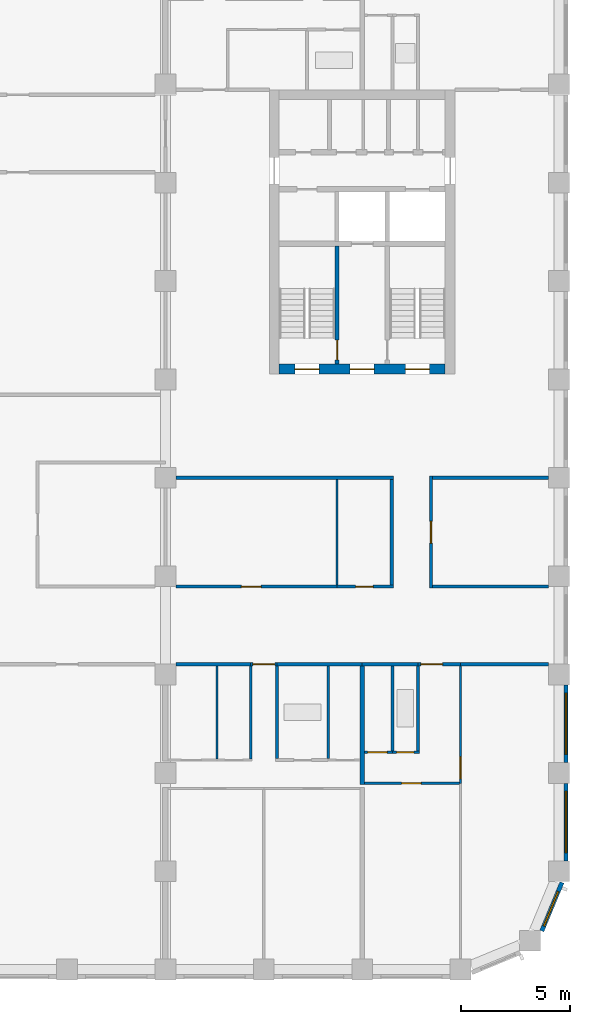
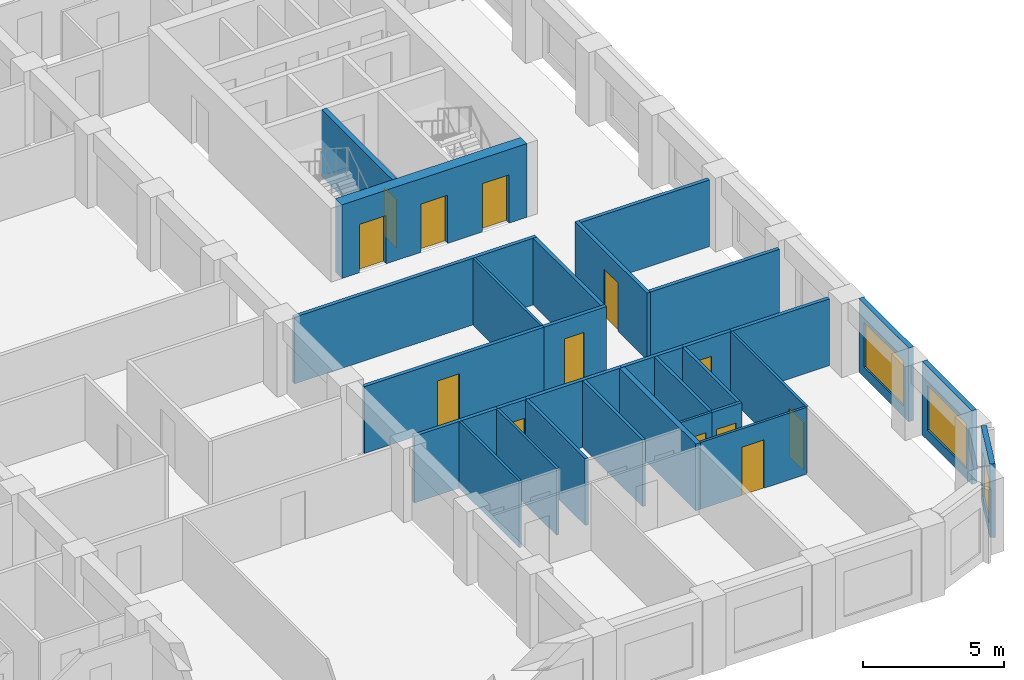
# One storey, part 5 of 12: 30 walls, 13 doors, 3 windows, 16 openings.
"""IFC4 building model written with IfcOpenShell, lengths in metres."""

from ifc_helpers import new_model, si_unit, direction, frame, frame_2d, origin, place, context, subcontext, project, spatial, rectangle, extrude, material, layer, layer_set, type_object, element, fill, save


model = new_model("IFC4")

# Units and contexts
model_context = context("Model", 3, precision=1e-05, world=origin(), true_north=direction((0.0, 1.0)))
body_context = subcontext(model_context, "Body", "Model", "MODEL_VIEW")
ifc_project = project(units=[si_unit("LENGTHUNIT", "METRE"), si_unit("AREAUNIT", "SQUARE_METRE"), si_unit("VOLUMEUNIT", "CUBIC_METRE"), si_unit("PLANEANGLEUNIT", "RADIAN"), si_unit("MASSUNIT", "GRAM", prefix="KILO")], contexts=[model_context])

# Site, building, storey
site_placement = place(None, origin())
site = spatial("IfcSite", under=ifc_project, at=site_placement, CompositionType="ELEMENT")
building_placement = place(site_placement, origin())
building = spatial("IfcBuilding", under=site, at=building_placement, Name="Girih Gate Residences", CompositionType="ELEMENT")
storey_placement = place(building_placement, frame((0.0, 0.0, 139.800048828125)))
storey = spatial("IfcBuildingStorey", under=building, at=storey_placement, Name="L39", CompositionType="ELEMENT", Elevation=139.800048828125)

# Wall, opening, door
ifc_material_1 = material(Name="Gypsum board on steel studs", Category="steel")
ifc_layer_1 = layer(ifc_material_1, 0.14990234375)
ifc_layer_set_1 = layer_set([ifc_layer_1], Name="Compartment wall 150 mm")
wall_type_1 = type_object("IfcWallType", Name="Compartment wall 150 mm", PredefinedType="PARTITIONING", material=ifc_layer_set_1)
wall_1_placement = place(storey_placement, frame((45.0, 13.97509765625, 0.0), z_axis=(0.0, 0.0, 1.0), x_axis=(-1.0, 0.0, 0.0)))
wall_1 = element("IfcWall", 1, at=wall_1_placement, inside=storey, type_object=wall_type_1, Name="L39 partition", PredefinedType="PARTITIONING", context=body_context, shape_type="SweptSolid", body=[
    extrude(rectangle(XDim=1.949951171875, YDim=0.14990234375, at=frame_2d((0.97509765625, 0.0))), origin(), (0.0, 0.0, 1.0), 2.89990234375),
])
opening_1_placement = place(wall_1_placement, frame((0.820068359375, 0.0, 0.0)))
opening_1 = element("IfcOpeningElement", 2, at=opening_1_placement, cuts=wall_1, Name="Opening A39-020", PredefinedType="OPENING", context=body_context, shape_type="SweptSolid", body=[
    extrude(rectangle(XDim=1.0, YDim=2.10009765625, at=frame_2d((0.5, 1.050048828125))), frame((0.0, 0.0849609375, 0.0), z_axis=(0.0, -1.0, 0.0), x_axis=(1.0, 0.0, 0.0)), (0.0, 0.0, 1.0), 0.169921875),
])
ifc_material_2 = material(Name="Timber, fire-rated core", Category="wood")
door_type_1 = type_object("IfcDoorType", Name="Flat entrance door 1000x2100 FD30S", OperationType="NOTDEFINED", PredefinedType="DOOR", material=ifc_material_2)
door_1_placement = place(opening_1_placement, origin())
door_1 = element("IfcDoor", 3, at=door_1_placement, inside=storey, type_object=door_type_1, Name="Door A39-020", OperationType="SINGLE_SWING_RIGHT", OverallHeight=2.10009765625, OverallWidth=1.0, PredefinedType="DOOR", context=body_context, shape_type="SweptSolid", body=[
    extrude(rectangle(XDim=1.0, YDim=2.10009765625, at=frame_2d((0.5, 1.050048828125))), frame((0.0, 0.02490234375, 0.0), z_axis=(0.0, -1.0, 0.0), x_axis=(1.0, 0.0, 0.0)), (0.0, 0.0, 1.0), 0.050048828125),
])
fill(opening_1, door_1)

# Walls
wall_2_placement = place(storey_placement, frame((40.5, 13.97509765625, 0.0), z_axis=(0.0, 0.0, 1.0), x_axis=(1.0, 0.0, 0.0)))
element("IfcWall", 4, at=wall_2_placement, inside=storey, type_object=wall_type_1, Name="L39 partition", PredefinedType="PARTITIONING", context=body_context, shape_type="SweptSolid", body=[
    extrude(rectangle(XDim=2.550048828125, YDim=0.14990234375, at=frame_2d((1.27490234375, 0.0))), origin(), (0.0, 0.0, 1.0), 2.89990234375),
])
wall_3_placement = place(storey_placement, frame((45.0, 13.97509765625, 0.0), z_axis=(0.0, 0.0, 1.0), x_axis=(1.0, 0.0, 0.0)))
element("IfcWall", 5, at=wall_3_placement, inside=storey, type_object=wall_type_1, Name="L39 partition", PredefinedType="PARTITIONING", context=body_context, shape_type="SweptSolid", body=[
    extrude(rectangle(XDim=4.02490234375, YDim=0.14990234375, at=frame_2d((2.012451171875, 0.0))), origin(), (0.0, 0.0, 1.0), 2.89990234375),
])
wall_4_placement = place(storey_placement, frame((36.60009765625, 13.97509765625, 0.0), z_axis=(0.0, 0.0, 1.0), x_axis=(1.0, 0.0, 0.0)))
element("IfcWall", 6, at=wall_4_placement, inside=storey, type_object=wall_type_1, Name="L39 partition", PredefinedType="PARTITIONING", context=body_context, shape_type="SweptSolid", body=[
    extrude(rectangle(XDim=3.89990234375, YDim=0.14990234375, at=frame_2d((1.949951171875, 0.0))), origin(), (0.0, 0.0, 1.0), 2.89990234375),
])

# Wall, opening, door
wall_5_placement = place(storey_placement, frame((36.60009765625, 13.97509765625, 0.0), z_axis=(0.0, 0.0, 1.0), x_axis=(-1.0, 0.0, 0.0)))
wall_5 = element("IfcWall", 7, at=wall_5_placement, inside=storey, type_object=wall_type_1, Name="L39 partition", PredefinedType="PARTITIONING", context=body_context, shape_type="SweptSolid", body=[
    extrude(rectangle(XDim=1.2001953125, YDim=0.14990234375, at=frame_2d((0.60009765625, 0.0))), origin(), (0.0, 0.0, 1.0), 2.89990234375),
])
opening_2_placement = place(wall_5_placement, frame((0.10009765625, 0.0, 0.0)))
opening_2 = element("IfcOpeningElement", 8, at=opening_2_placement, cuts=wall_5, Name="Opening A39-027", PredefinedType="OPENING", context=body_context, shape_type="SweptSolid", body=[
    extrude(rectangle(XDim=1.0, YDim=2.10009765625, at=frame_2d((0.5, 1.050048828125))), frame((0.0, 0.0849609375, 0.0), z_axis=(0.0, -1.0, 0.0), x_axis=(1.0, 0.0, 0.0)), (0.0, 0.0, 1.0), 0.169921875),
])
door_2_placement = place(opening_2_placement, origin())
door_2 = element("IfcDoor", 9, at=door_2_placement, inside=storey, type_object=door_type_1, Name="Door A39-027", OperationType="SINGLE_SWING_RIGHT", OverallHeight=2.10009765625, OverallWidth=1.0, PredefinedType="DOOR", context=body_context, shape_type="SweptSolid", body=[
    extrude(rectangle(XDim=1.0, YDim=2.10009765625, at=frame_2d((0.5, 1.050048828125))), frame((0.0, 0.02490234375, 0.0), z_axis=(0.0, -1.0, 0.0), x_axis=(1.0, 0.0, 0.0)), (0.0, 0.0, 1.0), 0.050048828125),
])
fill(opening_2, door_2)

# Wall
wall_6_placement = place(storey_placement, frame((31.97509765625, 13.97509765625, 0.0), z_axis=(0.0, 0.0, 1.0), x_axis=(1.0, 0.0, 0.0)))
element("IfcWall", 10, at=wall_6_placement, inside=storey, type_object=wall_type_1, Name="L39 partition", PredefinedType="PARTITIONING", context=body_context, shape_type="SweptSolid", body=[
    extrude(rectangle(XDim=3.4248046875, YDim=0.14990234375, at=frame_2d((1.71240234375, 0.0))), origin(), (0.0, 0.0, 1.0), 2.89990234375),
])

# Wall, opening, door
wall_7_placement = place(storey_placement, frame((31.97509765625, 17.52490234375, 0.0), z_axis=(0.0, 0.0, 1.0), x_axis=(1.0, 0.0, 0.0)))
wall_7 = element("IfcWall", 11, at=wall_7_placement, inside=storey, type_object=wall_type_1, Name="L39 partition", PredefinedType="PARTITIONING", context=body_context, shape_type="SweptSolid", body=[
    extrude(rectangle(XDim=7.375, YDim=0.14990234375, at=frame_2d((3.6875, 0.0))), origin(), (0.0, 0.0, 1.0), 2.89990234375),
])
opening_3_placement = place(wall_7_placement, frame((3.0, 0.0, 0.0)))
opening_3 = element("IfcOpeningElement", 12, at=opening_3_placement, cuts=wall_7, Name="Opening A39-046", PredefinedType="OPENING", context=body_context, shape_type="SweptSolid", body=[
    extrude(rectangle(XDim=0.89990234375, YDim=2.10009765625, at=frame_2d((0.449951171875, 1.050048828125))), frame((0.0, 0.0849609375, 0.0), z_axis=(0.0, -1.0, 0.0), x_axis=(1.0, 0.0, 0.0)), (0.0, 0.0, 1.0), 0.169921875),
])
ifc_material_3 = material(Name="Timber", Category="wood")
door_type_2 = type_object("IfcDoorType", Name="Service room door 900x2100", OperationType="NOTDEFINED", PredefinedType="DOOR", material=ifc_material_3)
door_3_placement = place(opening_3_placement, origin())
door_3 = element("IfcDoor", 13, at=door_3_placement, inside=storey, type_object=door_type_2, Name="Door A39-046", OperationType="SINGLE_SWING_LEFT", OverallHeight=2.10009765625, OverallWidth=0.89990234375, PredefinedType="DOOR", context=body_context, shape_type="SweptSolid", body=[
    extrude(rectangle(XDim=0.89990234375, YDim=2.10009765625, at=frame_2d((0.449951171875, 1.050048828125))), frame((0.0, 0.02490234375, 0.0), z_axis=(0.0, -1.0, 0.0), x_axis=(1.0, 0.0, 0.0)), (0.0, 0.0, 1.0), 0.050048828125),
])
fill(opening_3, door_3)

wall_8_placement = place(storey_placement, frame((39.35009765625, 17.52490234375, 0.0), z_axis=(0.0, 0.0, 1.0), x_axis=(1.0, 0.0, 0.0)))
wall_8 = element("IfcWall", 14, at=wall_8_placement, inside=storey, type_object=wall_type_1, Name="L39 partition", PredefinedType="PARTITIONING", context=body_context, shape_type="SweptSolid", body=[
    extrude(rectangle(XDim=2.574951171875, YDim=0.14990234375, at=frame_2d((1.28759765625, 0.0))), origin(), (0.0, 0.0, 1.0), 2.89990234375),
])
opening_4_placement = place(wall_8_placement, frame((0.85009765625, 0.0, 0.0)))
opening_4 = element("IfcOpeningElement", 15, at=opening_4_placement, cuts=wall_8, Name="Opening A39-048", PredefinedType="OPENING", context=body_context, shape_type="SweptSolid", body=[
    extrude(rectangle(XDim=0.800048828125, YDim=2.10009765625, at=frame_2d((0.39990234375, 1.050048828125))), frame((0.0, 0.0849609375, 0.0), z_axis=(0.0, -1.0, 0.0), x_axis=(1.0, 0.0, 0.0)), (0.0, 0.0, 1.0), 0.169921875),
])
door_type_3 = type_object("IfcDoorType", Name="Bathroom door 800x2100", OperationType="NOTDEFINED", PredefinedType="DOOR", material=ifc_material_3)
door_4_placement = place(opening_4_placement, origin())
door_4 = element("IfcDoor", 16, at=door_4_placement, inside=storey, type_object=door_type_3, Name="Door A39-048", OperationType="SINGLE_SWING_LEFT", OverallHeight=2.10009765625, OverallWidth=0.800048828125, PredefinedType="DOOR", context=body_context, shape_type="SweptSolid", body=[
    extrude(rectangle(XDim=0.800048828125, YDim=2.10009765625, at=frame_2d((0.39990234375, 1.050048828125))), frame((0.0, 0.02490234375, 0.0), z_axis=(0.0, -1.0, 0.0), x_axis=(1.0, 0.0, 0.0)), (0.0, 0.0, 1.0), 0.050048828125),
])
fill(opening_4, door_4)

# Walls
wall_9_placement = place(storey_placement, frame((43.72509765625, 17.52490234375, 0.0), z_axis=(0.0, 0.0, 1.0), x_axis=(1.0, 0.0, 0.0)))
element("IfcWall", 17, at=wall_9_placement, inside=storey, type_object=wall_type_1, Name="L39 partition", PredefinedType="PARTITIONING", context=body_context, shape_type="SweptSolid", body=[
    extrude(rectangle(XDim=5.2998046875, YDim=0.14990234375, at=frame_2d((2.64990234375, 0.0))), origin(), (0.0, 0.0, 1.0), 2.89990234375),
])
wall_10_placement = place(storey_placement, frame((31.97509765625, 22.5, 0.0), z_axis=(0.0, 0.0, 1.0), x_axis=(1.0, 0.0, 0.0)))
element("IfcWall", 18, at=wall_10_placement, inside=storey, type_object=wall_type_1, Name="L39 partition", PredefinedType="PARTITIONING", context=body_context, shape_type="SweptSolid", body=[
    extrude(rectangle(XDim=9.949951171875, YDim=0.14990234375, at=frame_2d((4.97509765625, 0.0))), origin(), (0.0, 0.0, 1.0), 2.89990234375),
])
wall_11_placement = place(storey_placement, frame((43.72509765625, 22.5, 0.0), z_axis=(0.0, 0.0, 1.0), x_axis=(1.0, 0.0, 0.0)))
element("IfcWall", 19, at=wall_11_placement, inside=storey, type_object=wall_type_1, Name="L39 partition", PredefinedType="PARTITIONING", context=body_context, shape_type="SweptSolid", body=[
    extrude(rectangle(XDim=5.2998046875, YDim=0.14990234375, at=frame_2d((2.64990234375, 0.0))), origin(), (0.0, 0.0, 1.0), 2.89990234375),
])
wall_12_placement = place(storey_placement, frame((41.85009765625, 17.60009765625, 0.0), z_axis=(0.0, 0.0, 1.0), x_axis=(0.0, 1.0, 0.0)))
element("IfcWall", 20, at=wall_12_placement, inside=storey, type_object=wall_type_1, Name="L39 partition", PredefinedType="PARTITIONING", context=body_context, shape_type="SweptSolid", body=[
    extrude(rectangle(XDim=4.824951171875, YDim=0.14990234375, at=frame_2d((2.41259765625, 0.0))), origin(), (0.0, 0.0, 1.0), 2.89990234375),
])

# Wall, opening, door
wall_13_placement = place(storey_placement, frame((43.64990234375, 22.574951171875, 0.0), z_axis=(0.0, 0.0, 1.0), x_axis=(0.0, -1.0, 0.0)))
wall_13 = element("IfcWall", 21, at=wall_13_placement, inside=storey, type_object=wall_type_1, Name="L39 partition", PredefinedType="PARTITIONING", context=body_context, shape_type="SweptSolid", body=[
    extrude(rectangle(XDim=5.125, YDim=0.14990234375, at=frame_2d((2.5625, 0.0))), origin(), (0.0, 0.0, 1.0), 2.89990234375),
])
opening_5_placement = place(wall_13_placement, frame((2.0625, 0.0, 0.0)))
opening_5 = element("IfcOpeningElement", 22, at=opening_5_placement, cuts=wall_13, Name="Opening A39-050", PredefinedType="OPENING", context=body_context, shape_type="SweptSolid", body=[
    extrude(rectangle(XDim=1.0, YDim=2.10009765625, at=frame_2d((0.5, 1.050048828125))), frame((0.0, 0.0849609375, 0.0), z_axis=(0.0, -1.0, 0.0), x_axis=(1.0, 0.0, 0.0)), (0.0, 0.0, 1.0), 0.169921875),
])
door_type_4 = type_object("IfcDoorType", Name="Amenity room door 1000x2100 FD30S", OperationType="NOTDEFINED", PredefinedType="DOOR", material=ifc_material_2)
door_5_placement = place(opening_5_placement, origin())
door_5 = element("IfcDoor", 23, at=door_5_placement, inside=storey, type_object=door_type_4, Name="Door A39-050", OperationType="SINGLE_SWING_RIGHT", OverallHeight=2.10009765625, OverallWidth=1.0, PredefinedType="DOOR", context=body_context, shape_type="SweptSolid", body=[
    extrude(rectangle(XDim=1.0, YDim=2.10009765625, at=frame_2d((0.5, 1.050048828125))), frame((0.0, 0.02490234375, 0.0), z_axis=(0.0, -1.0, 0.0), x_axis=(1.0, 0.0, 0.0)), (0.0, 0.0, 1.0), 0.050048828125),
])
fill(opening_5, door_5)

# Wall, openings, doors
ifc_material_4 = material(Name="Concrete C60/75", Category="concrete")
ifc_layer_2 = layer(ifc_material_4, 0.449951171875)
ifc_layer_set_2 = layer_set([ifc_layer_2], Name="Core wall RC 450 Concrete C60/75")
wall_type_2 = type_object("IfcWallType", Name="Core wall RC 450 Concrete C60/75", PredefinedType="SOLIDWALL", material=ifc_layer_set_2)
wall_14_placement = place(storey_placement, frame((36.699951171875, 27.47509765625, 0.0), z_axis=(0.0, 0.0, 1.0), x_axis=(1.0, 0.0, 0.0)))
wall_14 = element("IfcWall", 24, at=wall_14_placement, inside=storey, type_object=wall_type_2, Name="Core wall E-S L39", PredefinedType="SOLIDWALL", context=body_context, shape_type="SweptSolid", body=[
    extrude(rectangle(XDim=7.60009765625, YDim=0.449951171875, at=frame_2d((3.800048828125, 0.0))), origin(), (0.0, 0.0, 1.0), 3.199951171875),
])
opening_6_placement = place(wall_14_placement, frame((5.77490234375, 0.0, 0.0)))
opening_6 = element("IfcOpeningElement", 25, at=opening_6_placement, cuts=wall_14, Name="Opening D-L39-E-011", PredefinedType="OPENING", context=body_context, shape_type="SweptSolid", body=[
    extrude(rectangle(XDim=1.10009765625, YDim=2.10009765625, at=frame_2d((0.550048828125, 1.050048828125))), frame((0.0, 0.23486328125, 0.0), z_axis=(0.0, -1.0, 0.0), x_axis=(1.0, 0.0, 0.0)), (0.0, 0.0, 1.0), 0.469970703125),
])
opening_7_placement = place(wall_14_placement, frame((3.25, 0.0, 0.0)))
opening_7 = element("IfcOpeningElement", 26, at=opening_7_placement, cuts=wall_14, Name="Opening D-L39-E-012", PredefinedType="OPENING", context=body_context, shape_type="SweptSolid", body=[
    extrude(rectangle(XDim=1.10009765625, YDim=2.10009765625, at=frame_2d((0.550048828125, 1.050048828125))), frame((0.0, 0.23486328125, 0.0), z_axis=(0.0, -1.0, 0.0), x_axis=(1.0, 0.0, 0.0)), (0.0, 0.0, 1.0), 0.469970703125),
])
opening_8_placement = place(wall_14_placement, frame((0.72509765625, 0.0, 0.0)))
opening_8 = element("IfcOpeningElement", 27, at=opening_8_placement, cuts=wall_14, Name="Opening D-L39-E-013", PredefinedType="OPENING", context=body_context, shape_type="SweptSolid", body=[
    extrude(rectangle(XDim=1.10009765625, YDim=2.10009765625, at=frame_2d((0.550048828125, 1.050048828125))), frame((0.0, 0.23486328125, 0.0), z_axis=(0.0, -1.0, 0.0), x_axis=(1.0, 0.0, 0.0)), (0.0, 0.0, 1.0), 0.469970703125),
])
ifc_material_5 = material(Name="Painted steel, fire-resisting", Category="steel")
door_type_5 = type_object("IfcDoorType", Name="Fire door 1100x2100", OperationType="SINGLE_SWING_LEFT", PredefinedType="DOOR", material=ifc_material_5)
door_6_placement = place(opening_6_placement, origin())
door_6 = element("IfcDoor", 28, at=door_6_placement, inside=storey, type_object=door_type_5, Name="L39 E core door sta-out", OperationType="SINGLE_SWING_LEFT", OverallHeight=2.10009765625, OverallWidth=1.10009765625, PredefinedType="DOOR", context=body_context, shape_type="SweptSolid", body=[
    extrude(rectangle(XDim=1.10009765625, YDim=2.10009765625, at=frame_2d((0.550048828125, 1.050048828125))), frame((0.0, 0.02490234375, 0.0), z_axis=(0.0, -1.0, 0.0), x_axis=(1.0, 0.0, 0.0)), (0.0, 0.0, 1.0), 0.050048828125),
])
fill(opening_6, door_6)
door_7_placement = place(opening_7_placement, origin())
door_7 = element("IfcDoor", 29, at=door_7_placement, inside=storey, type_object=door_type_5, Name="L39 E core door ffl-out", OperationType="SINGLE_SWING_LEFT", OverallHeight=2.10009765625, OverallWidth=1.10009765625, PredefinedType="DOOR", context=body_context, shape_type="SweptSolid", body=[
    extrude(rectangle(XDim=1.10009765625, YDim=2.10009765625, at=frame_2d((0.550048828125, 1.050048828125))), frame((0.0, 0.02490234375, 0.0), z_axis=(0.0, -1.0, 0.0), x_axis=(1.0, 0.0, 0.0)), (0.0, 0.0, 1.0), 0.050048828125),
])
fill(opening_7, door_7)
door_8_placement = place(opening_8_placement, origin())
door_8 = element("IfcDoor", 30, at=door_8_placement, inside=storey, type_object=door_type_5, Name="L39 E core door stb-out", OperationType="SINGLE_SWING_LEFT", OverallHeight=2.10009765625, OverallWidth=1.10009765625, PredefinedType="DOOR", context=body_context, shape_type="SweptSolid", body=[
    extrude(rectangle(XDim=1.10009765625, YDim=2.10009765625, at=frame_2d((0.550048828125, 1.050048828125))), frame((0.0, 0.02490234375, 0.0), z_axis=(0.0, -1.0, 0.0), x_axis=(1.0, 0.0, 0.0)), (0.0, 0.0, 1.0), 0.050048828125),
])
fill(opening_8, door_8)

# Wall, opening, door
ifc_layer_3 = layer(ifc_material_1, 0.10009765625)
ifc_layer_set_3 = layer_set([ifc_layer_3], Name="Partition 100 mm")
wall_type_3 = type_object("IfcWallType", Name="Partition 100 mm", PredefinedType="PARTITIONING", material=ifc_layer_set_3)
wall_15_placement = place(storey_placement, frame((44.949951171875, 8.52490234375, 0.0), z_axis=(0.0, 0.0, 1.0), x_axis=(-1.0, 0.0, 0.0)))
wall_15 = element("IfcWall", 31, at=wall_15_placement, inside=storey, type_object=wall_type_3, Name="L39 partition", PredefinedType="PARTITIONING", context=body_context, shape_type="SweptSolid", body=[
    extrude(rectangle(XDim=4.349853515625, YDim=0.10009765625, at=frame_2d((2.1748046875, 0.0))), origin(), (0.0, 0.0, 1.0), 2.89990234375),
])
opening_9_placement = place(wall_15_placement, frame((1.75, 0.0, 0.0)))
opening_9 = element("IfcOpeningElement", 32, at=opening_9_placement, cuts=wall_15, Name="Opening A39-017", PredefinedType="OPENING", context=body_context, shape_type="SweptSolid", body=[
    extrude(rectangle(XDim=0.89990234375, YDim=2.10009765625, at=frame_2d((0.449951171875, 1.050048828125))), frame((0.0, 0.06005859375, 0.0), z_axis=(0.0, -1.0, 0.0), x_axis=(1.0, 0.0, 0.0)), (0.0, 0.0, 1.0), 0.1201171875),
])
door_type_6 = type_object("IfcDoorType", Name="Bedroom door 900x2100", OperationType="NOTDEFINED", PredefinedType="DOOR", material=ifc_material_3)
door_9_placement = place(opening_9_placement, origin())
door_9 = element("IfcDoor", 33, at=door_9_placement, inside=storey, type_object=door_type_6, Name="Door A39-017", OperationType="SINGLE_SWING_RIGHT", OverallHeight=2.10009765625, OverallWidth=0.89990234375, PredefinedType="DOOR", context=body_context, shape_type="SweptSolid", body=[
    extrude(rectangle(XDim=0.89990234375, YDim=2.10009765625, at=frame_2d((0.449951171875, 1.050048828125))), frame((0.0, 0.02490234375, 0.0), z_axis=(0.0, -1.0, 0.0), x_axis=(1.0, 0.0, 0.0)), (0.0, 0.0, 1.0), 0.050048828125),
])
fill(opening_9, door_9)

wall_16_placement = place(storey_placement, frame((40.60009765625, 9.945068359375, 0.0), z_axis=(0.0, 0.0, 1.0), x_axis=(1.0, 0.0, 0.0)))
wall_16 = element("IfcWall", 34, at=wall_16_placement, inside=storey, type_object=wall_type_3, Name="L39 partition", PredefinedType="PARTITIONING", context=body_context, shape_type="SweptSolid", body=[
    extrude(rectangle(XDim=1.290771484375, YDim=0.10009765625, at=frame_2d((0.6455078125, 0.0))), origin(), (0.0, 0.0, 1.0), 2.89990234375),
])
opening_10_placement = place(wall_16_placement, frame((0.1455078125, 0.0, 0.0)))
opening_10 = element("IfcOpeningElement", 35, at=opening_10_placement, cuts=wall_16, Name="Opening A39-018", PredefinedType="OPENING", context=body_context, shape_type="SweptSolid", body=[
    extrude(rectangle(XDim=0.89990234375, YDim=2.10009765625, at=frame_2d((0.449951171875, 1.050048828125))), frame((0.0, 0.06005859375, 0.0), z_axis=(0.0, -1.0, 0.0), x_axis=(1.0, 0.0, 0.0)), (0.0, 0.0, 1.0), 0.1201171875),
])
door_type_7 = type_object("IfcDoorType", Name="Kitchen door 900x2100", OperationType="NOTDEFINED", PredefinedType="DOOR", material=ifc_material_3)
door_10_placement = place(opening_10_placement, origin())
door_10 = element("IfcDoor", 36, at=door_10_placement, inside=storey, type_object=door_type_7, Name="Door A39-018", OperationType="SINGLE_SWING_LEFT", OverallHeight=2.10009765625, OverallWidth=0.89990234375, PredefinedType="DOOR", context=body_context, shape_type="SweptSolid", body=[
    extrude(rectangle(XDim=0.89990234375, YDim=2.10009765625, at=frame_2d((0.449951171875, 1.050048828125))), frame((0.0, 0.02490234375, 0.0), z_axis=(0.0, -1.0, 0.0), x_axis=(1.0, 0.0, 0.0)), (0.0, 0.0, 1.0), 0.050048828125),
])
fill(opening_10, door_10)

wall_17_placement = place(storey_placement, frame((45.0, 13.89990234375, 0.0), z_axis=(0.0, 0.0, 1.0), x_axis=(0.0, -1.0, 0.0)))
wall_17 = element("IfcWall", 37, at=wall_17_placement, inside=storey, type_object=wall_type_3, Name="L39 partition", PredefinedType="PARTITIONING", context=body_context, shape_type="SweptSolid", body=[
    extrude(rectangle(XDim=5.375, YDim=0.10009765625, at=frame_2d((2.6875, 0.0))), origin(), (0.0, 0.0, 1.0), 2.89990234375),
])
opening_11_placement = place(wall_17_placement, frame((4.1650390625, 0.0, 0.0)))
opening_11 = element("IfcOpeningElement", 38, at=opening_11_placement, cuts=wall_17, Name="Opening A39-019", PredefinedType="OPENING", context=body_context, shape_type="SweptSolid", body=[
    extrude(rectangle(XDim=1.0, YDim=2.10009765625, at=frame_2d((0.5, 1.050048828125))), frame((0.0, 0.06005859375, 0.0), z_axis=(0.0, -1.0, 0.0), x_axis=(1.0, 0.0, 0.0)), (0.0, 0.0, 1.0), 0.1201171875),
])
door_type_8 = type_object("IfcDoorType", Name="Living room door 1000x2100", OperationType="NOTDEFINED", PredefinedType="DOOR", material=ifc_material_3)
door_11_placement = place(opening_11_placement, origin())
door_11 = element("IfcDoor", 39, at=door_11_placement, inside=storey, type_object=door_type_8, Name="Door A39-019", OperationType="SINGLE_SWING_RIGHT", OverallHeight=2.10009765625, OverallWidth=1.0, PredefinedType="DOOR", context=body_context, shape_type="SweptSolid", body=[
    extrude(rectangle(XDim=1.0, YDim=2.10009765625, at=frame_2d((0.5, 1.050048828125))), frame((0.0, 0.02490234375, 0.0), z_axis=(0.0, -1.0, 0.0), x_axis=(1.0, 0.0, 0.0)), (0.0, 0.0, 1.0), 0.050048828125),
])
fill(opening_11, door_11)

# Walls
for number, where, z_axis, x_axis, name in (
    (40, (35.39990234375, 9.635009765625, 0.0), (0.0, 0.0, 1.0), (0.0, 1.0, 0.0), "L39 partition"),
    (41, (33.864013671875, 9.635009765625, 0.0), (0.0, 0.0, 1.0), (0.0, 1.0, 0.0), "L39 partition"),
):
    element("IfcWall", number, at=place(storey_placement, frame(where, z_axis=z_axis, x_axis=x_axis)), inside=storey, type_object=wall_type_3, Name=name, PredefinedType="PARTITIONING", context=body_context, shape_type="SweptSolid", body=[
        extrude(rectangle(XDim=4.264892578125, YDim=0.10009765625, at=frame_2d((2.13232421875, 0.0))), origin(), (0.0, 0.0, 1.0), 2.89990234375),
    ])
wall_18_placement = place(storey_placement, frame((39.35009765625, 17.60009765625, 0.0), z_axis=(0.0, 0.0, 1.0), x_axis=(0.0, 1.0, 0.0)))
element("IfcWall", 42, at=wall_18_placement, inside=storey, type_object=wall_type_3, Name="L39 partition", PredefinedType="PARTITIONING", context=body_context, shape_type="SweptSolid", body=[
    extrude(rectangle(XDim=4.824951171875, YDim=0.10009765625, at=frame_2d((2.41259765625, 0.0))), origin(), (0.0, 0.0, 1.0), 2.89990234375),
])
ifc_layer_4 = layer(ifc_material_1, 0.199951171875)
ifc_layer_set_4 = layer_set([ifc_layer_4], Name="Party wall 200 mm")
wall_type_4 = type_object("IfcWallType", Name="Party wall 200 mm", PredefinedType="PARTITIONING", material=ifc_layer_set_4)
wall_19_placement = place(storey_placement, frame((40.5, 8.47509765625, 0.0), z_axis=(0.0, 0.0, 1.0), x_axis=(0.0, 1.0, 0.0)))
element("IfcWall", 43, at=wall_19_placement, inside=storey, type_object=wall_type_4, Name="L39 partition", PredefinedType="PARTITIONING", context=body_context, shape_type="SweptSolid", body=[
    extrude(rectangle(XDim=5.4248046875, YDim=0.199951171875, at=frame_2d((2.71240234375, 0.0))), origin(), (0.0, 0.0, 1.0), 2.89990234375),
])

# Wall, opening, window
ifc_material_6 = material(Name="Precast concrete C50/60", Category="concrete")
ifc_layer_5 = layer(ifc_material_6, 0.06005859375, Name="Outer leaf")
ifc_material_7 = material(Name="Rigid PIR insulation")
ifc_layer_6 = layer(ifc_material_7, 0.090087890625, Name="Insulation")
ifc_material_8 = material(Name="Precast concrete C40/50", Category="concrete")
ifc_layer_7 = layer(ifc_material_8, 0.050048828125, Name="Inner leaf")
ifc_layer_set_5 = layer_set([ifc_layer_5, ifc_layer_6, ifc_layer_7], Name="Precast concrete C50/60 external wall 200")
wall_type_5 = type_object("IfcWallType", Name="Precast concrete C50/60 external wall 200", PredefinedType="SOLIDWALL", material=ifc_layer_set_5)
wall_20_placement = place(storey_placement, frame((49.63916015625, 3.98681640625, 0.0), z_axis=(0.0, 0.0, 1.0), x_axis=(-0.382680855588, -0.923880599843, 0.0)))
wall_20 = element("IfcWall", 44, at=wall_20_placement, inside=storey, type_object=wall_type_5, Name="External wall SE0482_0013.0", PredefinedType="SOLIDWALL", context=body_context, shape_type="SweptSolid", body=[
    extrude(rectangle(XDim=2.402587890625, YDim=0.199951171875, at=frame_2d((1.201171875, 0.0))), origin(), (0.0, 0.0, 1.0), 3.199951171875),
])
opening_12_placement = place(wall_20_placement, frame((0.451171875, 0.0, 0.449951171875)))
opening_12 = element("IfcOpeningElement", 45, at=opening_12_placement, cuts=wall_20, Name="Opening W-2E", PredefinedType="OPENING", context=body_context, shape_type="SweptSolid", body=[
    extrude(rectangle(XDim=1.699951171875, YDim=1.949951171875, at=frame_2d((0.85009765625, 0.97509765625))), frame((0.0, 0.10986328125, 0.0), z_axis=(0.0, -1.0, 0.0), x_axis=(1.0, 0.0, 0.0)), (0.0, 0.0, 1.0), 0.219970703125),
])
ifc_material_9 = material(Name="Double glazing in aluminium frame", Category="aluminium")
window_type_1 = type_object("IfcWindowType", Name="Window W-2E 1700x1950", PartitioningType="SINGLE_PANEL", PredefinedType="WINDOW", material=ifc_material_9)
window_1_placement = place(opening_12_placement, origin())
window_1 = element("IfcWindow", 46, at=window_1_placement, inside=storey, type_object=window_type_1, Name="Window W-2E SE0482_0013.0", OverallHeight=1.949951171875, OverallWidth=1.699951171875, PartitioningType="SINGLE_PANEL", PredefinedType="WINDOW", context=body_context, shape_type="SweptSolid", body=[
    extrude(rectangle(XDim=1.699951171875, YDim=1.949951171875, at=frame_2d((0.85009765625, 0.97509765625))), frame((0.0, 0.030029296875, 0.0), z_axis=(0.0, -1.0, 0.0), x_axis=(1.0, 0.0, 0.0)), (0.0, 0.0, 1.0), 0.06005859375),
])
fill(opening_12, window_1)

wall_21_placement = place(storey_placement, frame((49.824951171875, 8.52490234375, 0.0), z_axis=(0.0, 0.0, 1.0), x_axis=(0.0, -1.0, 0.0)))
wall_21 = element("IfcWall", 47, at=wall_21_placement, inside=storey, type_object=wall_type_5, Name="External wall E0495_0045.0", PredefinedType="SOLIDWALL", context=body_context, shape_type="SweptSolid", body=[
    extrude(rectangle(XDim=3.5498046875, YDim=0.199951171875, at=frame_2d((1.77490234375, 0.0))), origin(), (0.0, 0.0, 1.0), 3.199951171875),
])
opening_13_placement = place(wall_21_placement, frame((0.375, 0.0, 0.449951171875)))
opening_13 = element("IfcOpeningElement", 48, at=opening_13_placement, cuts=wall_21, Name="Opening W-1B", PredefinedType="OPENING", context=body_context, shape_type="SweptSolid", body=[
    extrude(rectangle(XDim=2.800048828125, YDim=1.949951171875, at=frame_2d((1.39990234375, 0.97509765625))), frame((0.0, 0.10986328125, 0.0), z_axis=(0.0, -1.0, 0.0), x_axis=(1.0, 0.0, 0.0)), (0.0, 0.0, 1.0), 0.219970703125),
])
window_type_2 = type_object("IfcWindowType", Name="Window W-1B 2800x1950", PartitioningType="SINGLE_PANEL", PredefinedType="WINDOW", material=ifc_material_9)
window_2_placement = place(opening_13_placement, origin())
window_2 = element("IfcWindow", 49, at=window_2_placement, inside=storey, type_object=window_type_2, Name="Window W-1B E0495_0045.0", OverallHeight=1.949951171875, OverallWidth=2.800048828125, PartitioningType="SINGLE_PANEL", PredefinedType="WINDOW", context=body_context, shape_type="SweptSolid", body=[
    extrude(rectangle(XDim=2.800048828125, YDim=1.949951171875, at=frame_2d((1.39990234375, 0.97509765625))), frame((0.0, 0.030029296875, 0.0), z_axis=(0.0, -1.0, 0.0), x_axis=(1.0, 0.0, 0.0)), (0.0, 0.0, 1.0), 0.06005859375),
])
fill(opening_13, window_2)

wall_22_placement = place(storey_placement, frame((49.824951171875, 13.02490234375, 0.0), z_axis=(0.0, 0.0, 1.0), x_axis=(0.0, -1.0, 0.0)))
wall_22 = element("IfcWall", 50, at=wall_22_placement, inside=storey, type_object=wall_type_5, Name="External wall E0495_0045.1", PredefinedType="SOLIDWALL", context=body_context, shape_type="SweptSolid", body=[
    extrude(rectangle(XDim=3.5498046875, YDim=0.199951171875, at=frame_2d((1.77490234375, 0.0))), origin(), (0.0, 0.0, 1.0), 3.199951171875),
])
opening_14_placement = place(wall_22_placement, frame((0.375, 0.0, 0.449951171875)))
opening_14 = element("IfcOpeningElement", 51, at=opening_14_placement, cuts=wall_22, Name="Opening W-1B", PredefinedType="OPENING", context=body_context, shape_type="SweptSolid", body=[
    extrude(rectangle(XDim=2.800048828125, YDim=1.949951171875, at=frame_2d((1.39990234375, 0.97509765625))), frame((0.0, 0.10986328125, 0.0), z_axis=(0.0, -1.0, 0.0), x_axis=(1.0, 0.0, 0.0)), (0.0, 0.0, 1.0), 0.219970703125),
])
window_3_placement = place(opening_14_placement, origin())
window_3 = element("IfcWindow", 52, at=window_3_placement, inside=storey, type_object=window_type_2, Name="Window W-1B E0495_0045.1", OverallHeight=1.949951171875, OverallWidth=2.800048828125, PartitioningType="SINGLE_PANEL", PredefinedType="WINDOW", context=body_context, shape_type="SweptSolid", body=[
    extrude(rectangle(XDim=2.800048828125, YDim=1.949951171875, at=frame_2d((1.39990234375, 0.97509765625))), frame((0.0, 0.030029296875, 0.0), z_axis=(0.0, -1.0, 0.0), x_axis=(1.0, 0.0, 0.0)), (0.0, 0.0, 1.0), 0.06005859375),
])
fill(opening_14, window_3)

# Wall, opening, door
ifc_material_10 = material(Name="Concrete C40/50", Category="concrete")
ifc_layer_8 = layer(ifc_material_10, 0.199951171875)
ifc_layer_set_6 = layer_set([ifc_layer_8], Name="Shaft wall 200")
wall_type_6 = type_object("IfcWallType", Name="Shaft wall 200", PredefinedType="SOLIDWALL", material=ifc_layer_set_6)
wall_23_placement = place(storey_placement, frame((39.35009765625, 27.699951171875, 0.0), z_axis=(0.0, 0.0, 1.0), x_axis=(0.0, 1.0, 0.0)))
wall_23 = element("IfcWall", 53, at=wall_23_placement, inside=storey, type_object=wall_type_6, Name="L39 E core wall V2a", PredefinedType="SOLIDWALL", context=body_context, shape_type="SweptSolid", body=[
    extrude(rectangle(XDim=5.400146484375, YDim=0.199951171875, at=frame_2d((2.7001953125, 0.0))), origin(), (0.0, 0.0, 1.0), 2.89990234375),
])
opening_15_placement = place(wall_23_placement, frame((0.199951171875, 0.0, 0.0)))
opening_15 = element("IfcOpeningElement", 54, at=opening_15_placement, cuts=wall_23, Name="Opening D-L39-E-002", PredefinedType="OPENING", context=body_context, shape_type="SweptSolid", body=[
    extrude(rectangle(XDim=0.89990234375, YDim=2.10009765625, at=frame_2d((0.449951171875, 1.050048828125))), frame((0.0, 0.10986328125, 0.0), z_axis=(0.0, -1.0, 0.0), x_axis=(1.0, 0.0, 0.0)), (0.0, 0.0, 1.0), 0.219970703125),
])
door_type_9 = type_object("IfcDoorType", Name="Fire door 900x2100", OperationType="SINGLE_SWING_LEFT", PredefinedType="DOOR", material=ifc_material_5)
door_12_placement = place(opening_15_placement, origin())
door_12 = element("IfcDoor", 55, at=door_12_placement, inside=storey, type_object=door_type_9, Name="L39 E door stair 2 to firefighting lobby", OperationType="SINGLE_SWING_LEFT", OverallHeight=2.10009765625, OverallWidth=0.89990234375, PredefinedType="DOOR", context=body_context, shape_type="SweptSolid", body=[
    extrude(rectangle(XDim=0.89990234375, YDim=2.10009765625, at=frame_2d((0.449951171875, 1.050048828125))), frame((0.0, 0.02490234375, 0.0), z_axis=(0.0, -1.0, 0.0), x_axis=(1.0, 0.0, 0.0)), (0.0, 0.0, 1.0), 0.050048828125),
])
fill(opening_15, door_12)

# Wall
ifc_layer_9 = layer(ifc_material_1, 0.125)
ifc_layer_set_7 = layer_set([ifc_layer_9], Name="Wet room wall 125 mm")
wall_type_7 = type_object("IfcWallType", Name="Wet room wall 125 mm", PredefinedType="PARTITIONING", material=ifc_layer_set_7)
wall_24_placement = place(storey_placement, frame((43.050048828125, 10.007568359375, 0.0), z_axis=(0.0, 0.0, 1.0), x_axis=(0.0, 1.0, 0.0)))
element("IfcWall", 56, at=wall_24_placement, inside=storey, type_object=wall_type_7, Name="L39 partition", PredefinedType="PARTITIONING", context=body_context, shape_type="SweptSolid", body=[
    extrude(rectangle(XDim=3.892333984375, YDim=0.125, at=frame_2d((1.9462890625, 0.0))), origin(), (0.0, 0.0, 1.0), 2.89990234375),
])

# Wall, opening, door
wall_25_placement = place(storey_placement, frame((41.890869140625, 9.945068359375, 0.0), z_axis=(0.0, 0.0, 1.0), x_axis=(1.0, 0.0, 0.0)))
wall_25 = element("IfcWall", 57, at=wall_25_placement, inside=storey, type_object=wall_type_7, Name="L39 partition", PredefinedType="PARTITIONING", context=body_context, shape_type="SweptSolid", body=[
    extrude(rectangle(XDim=1.2216796875, YDim=0.125, at=frame_2d((0.61083984375, 0.0))), origin(), (0.0, 0.0, 1.0), 2.89990234375),
])
opening_16_placement = place(wall_25_placement, frame((0.179443359375, 0.0, 0.0)))
opening_16 = element("IfcOpeningElement", 58, at=opening_16_placement, cuts=wall_25, Name="Opening A39-016", PredefinedType="OPENING", context=body_context, shape_type="SweptSolid", body=[
    extrude(rectangle(XDim=0.800048828125, YDim=2.10009765625, at=frame_2d((0.39990234375, 1.050048828125))), frame((0.0, 0.072509765625, 0.0), z_axis=(0.0, -1.0, 0.0), x_axis=(1.0, 0.0, 0.0)), (0.0, 0.0, 1.0), 0.14501953125),
])
door_13_placement = place(opening_16_placement, origin())
door_13 = element("IfcDoor", 59, at=door_13_placement, inside=storey, type_object=door_type_3, Name="Door A39-016", OperationType="SINGLE_SWING_LEFT", OverallHeight=2.10009765625, OverallWidth=0.800048828125, PredefinedType="DOOR", context=body_context, shape_type="SweptSolid", body=[
    extrude(rectangle(XDim=0.800048828125, YDim=2.10009765625, at=frame_2d((0.39990234375, 1.050048828125))), frame((0.0, 0.02490234375, 0.0), z_axis=(0.0, -1.0, 0.0), x_axis=(1.0, 0.0, 0.0)), (0.0, 0.0, 1.0), 0.050048828125),
])
fill(opening_16, door_13)

# Walls
wall_26_placement = place(storey_placement, frame((41.89111328125, 10.007568359375, 0.0), z_axis=(0.0, 0.0, 1.0), x_axis=(0.0, 1.0, 0.0)))
element("IfcWall", 60, at=wall_26_placement, inside=storey, type_object=wall_type_7, Name="L39 partition", PredefinedType="PARTITIONING", context=body_context, shape_type="SweptSolid", body=[
    extrude(rectangle(XDim=3.892333984375, YDim=0.125, at=frame_2d((1.9462890625, 0.0))), origin(), (0.0, 0.0, 1.0), 2.89990234375),
])
for number, where, z_axis, x_axis, name in (
    (61, (36.60009765625, 9.6474609375, 0.0), (0.0, 0.0, 1.0), (0.0, 1.0, 0.0), "L39 partition"),
    (62, (38.947021484375, 9.6474609375, 0.0), (0.0, 0.0, 1.0), (0.0, 1.0, 0.0), "L39 partition"),
):
    element("IfcWall", number, at=place(storey_placement, frame(where, z_axis=z_axis, x_axis=x_axis)), inside=storey, type_object=wall_type_7, Name=name, PredefinedType="PARTITIONING", context=body_context, shape_type="SweptSolid", body=[
        extrude(rectangle(XDim=4.25244140625, YDim=0.125, at=frame_2d((2.126220703125, 0.0))), origin(), (0.0, 0.0, 1.0), 2.89990234375),
    ])

save(model, "model.ifc")
